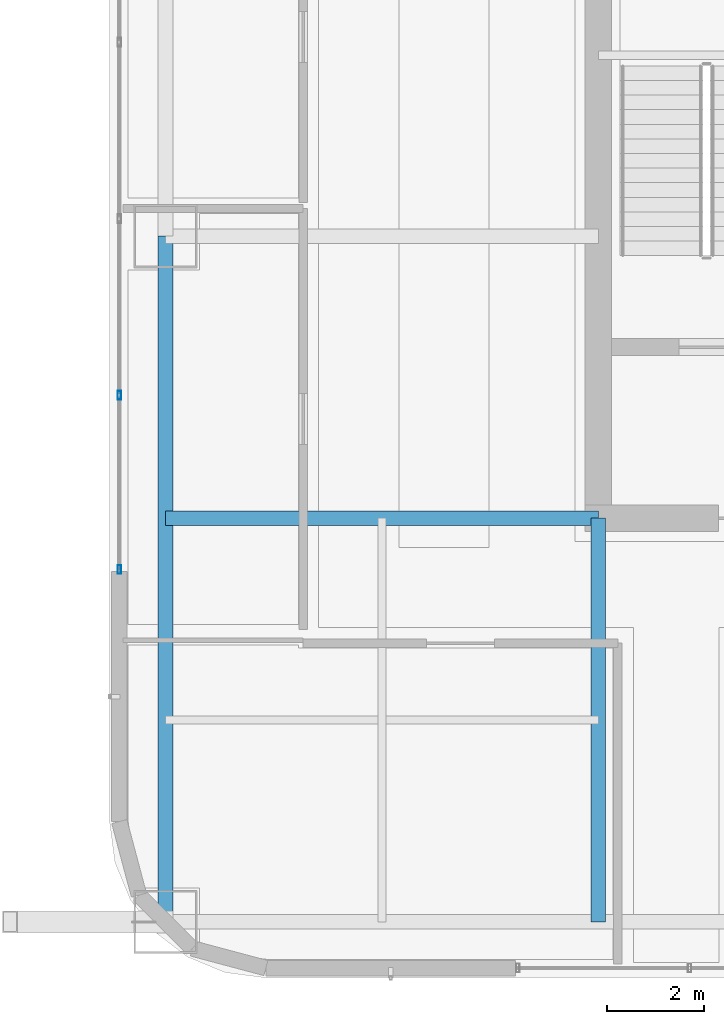
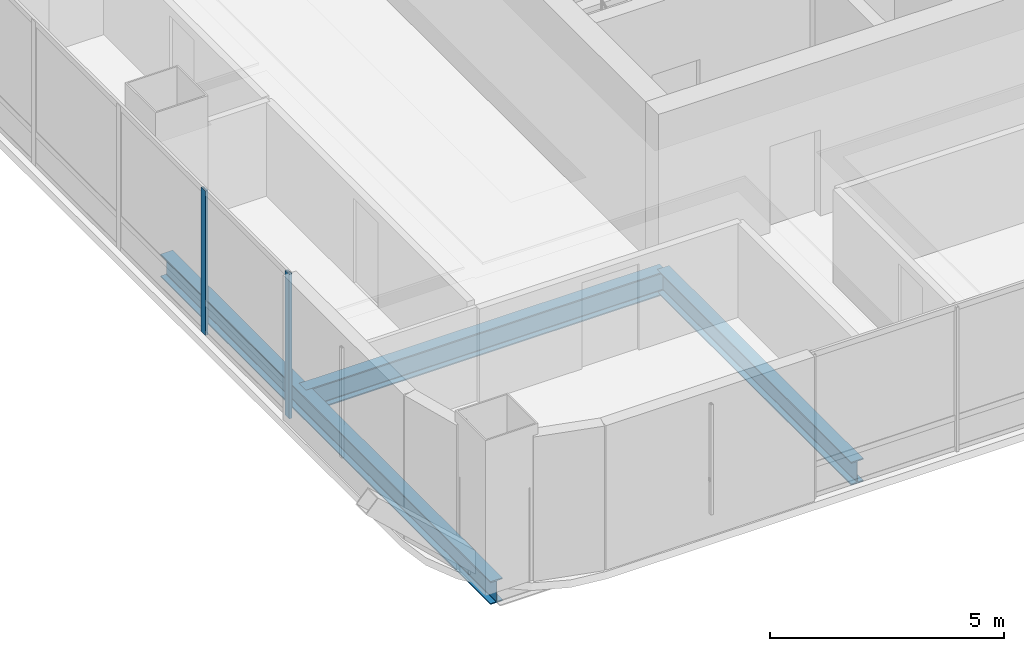
# One storey, part 3 of 51: 3 beams, 2 members, 1 element without a shape of its own.
"""IFC4 building model written with IfcOpenShell, lengths in metres."""

from ifc_helpers import new_model, si_unit, direction, frame, origin, origin_2d, place, context, subcontext, project, spatial, hollow_rectangle, i_section, extrude, material, material_profile, profile_set, type_object, element, aggregate, save


model = new_model("IFC4")

# Units and contexts
model_context = context("Model", 3, precision=1e-05, world=origin(), true_north=direction((0.0, 1.0)))
body_context = subcontext(model_context, "Body", "Model", "MODEL_VIEW")
ifc_project = project(units=[si_unit("LENGTHUNIT", "METRE"), si_unit("AREAUNIT", "SQUARE_METRE"), si_unit("VOLUMEUNIT", "CUBIC_METRE"), si_unit("PLANEANGLEUNIT", "RADIAN"), si_unit("MASSUNIT", "GRAM", prefix="KILO")], contexts=[model_context])

# Site, building, storey
site_placement = place(None, origin())
site = spatial("IfcSite", under=ifc_project, at=site_placement, CompositionType="ELEMENT")
building_placement = place(site_placement, origin())
building = spatial("IfcBuilding", under=site, at=building_placement, Name="Punatoya Terracotta Tower", CompositionType="ELEMENT")
storey_placement = place(building_placement, frame((0.0, 0.0, 279.75)))
storey = spatial("IfcBuildingStorey", under=building, at=storey_placement, Name="L66", CompositionType="ELEMENT", Elevation=279.75)

# Beams
ifc_material_1 = material(Name="Steel S355", Category="steel")
ifc_material_profile_1 = material_profile(ifc_material_1, i_section(OverallWidth=0.300048828125, OverallDepth=0.60009765625, WebThickness=0.015380859375, FlangeThickness=0.030029296875, FilletRadius=0.01806640625, at=origin_2d()))
ifc_profile_set_1 = profile_set([ifc_material_profile_1], Name="Steel S355")
beam_type = type_object("IfcBeamType", Name="BM-PRI-600", PredefinedType="BEAM", material=ifc_profile_set_1)
beam_1_placement = place(storey_placement, frame((-19.10009765625, -17.5, -0.5), z_axis=(0.0, 1.0, 0.0), x_axis=(-1.0, 0.0, 0.0)))
element("IfcBeam", 1, at=beam_1_placement, inside=storey, type_object=beam_type, Name="BM-L66-RG-W1", PredefinedType="BEAM", context=body_context, shape_type="SweptSolid", body=[
    extrude(i_section(OverallWidth=0.300048828125, OverallDepth=0.60009765625, WebThickness=0.015380859375, FlangeThickness=0.030029296875, FilletRadius=0.01806640625, at=origin_2d()), origin(), (0.0, 0.0, 1.0), 14.10009765625),
])
beam_2_placement = place(storey_placement, frame((-19.10009765625, -9.199951171875, -0.5), z_axis=(1.0, 0.0, 0.0), x_axis=(0.0, 1.0, 0.0)))
element("IfcBeam", 2, at=beam_2_placement, inside=storey, type_object=beam_type, Name="BM-L66-PR-WS", PredefinedType="BEAM", context=body_context, shape_type="SweptSolid", body=[
    extrude(i_section(OverallWidth=0.300048828125, OverallDepth=0.60009765625, WebThickness=0.015380859375, FlangeThickness=0.030029296875, FilletRadius=0.01806640625, at=origin_2d()), origin(), (0.0, 0.0, 1.0), 8.900146484375),
])
beam_3_placement = place(storey_placement, frame((-10.199951171875, -17.5, -0.5), z_axis=(0.0, 1.0, 0.0), x_axis=(-1.0, 0.0, 0.0)))
element("IfcBeam", 3, at=beam_3_placement, inside=storey, type_object=beam_type, Name="BM-L66-PR-S1", PredefinedType="BEAM", context=body_context, shape_type="SweptSolid", body=[
    extrude(i_section(OverallWidth=0.300048828125, OverallDepth=0.60009765625, WebThickness=0.015380859375, FlangeThickness=0.030029296875, FilletRadius=0.01806640625, at=origin_2d()), origin(), (0.0, 0.0, 1.0), 8.300048828125),
])

# Curtain wall, members
ifc_material_2 = material(Name="Aluminium 6063-T6 + Double Low-E Glass", Category="aluminium")
curtain_wall_type = type_object("IfcCurtainWallType", Name="CW-M3", PredefinedType="NOTDEFINED", material=ifc_material_2)
curtain_wall_placement = place(storey_placement, origin())
curtain_wall = element("IfcCurtainWall", 4, at=curtain_wall_placement, inside=storey, type_object=curtain_wall_type, Name="L66 Curtain Wall CW-L66-W13-1", PredefinedType="NOTDEFINED")
ifc_material_3 = material(Name="Aluminium 6063-T6", Category="aluminium")
ifc_material_profile_2 = material_profile(ifc_material_3, hollow_rectangle(XDim=0.070068359375, YDim=0.179931640625, WallThickness=0.00390625, at=origin_2d()))
ifc_profile_set_2 = profile_set([ifc_material_profile_2], Name="Aluminium 6063-T6")
member_type = type_object("IfcMemberType", Name="CW-MUL-M3", PredefinedType="MULLION", material=ifc_profile_set_2)
member_1_placement = place(storey_placement, frame((-20.050048828125, -6.67138671875, 0.0), z_axis=(0.0, 0.0, 1.0), x_axis=(1.0, 0.0, 0.0)))
member_1 = element("IfcMember", 5, at=member_1_placement, type_object=member_type, Name="CW-L66-W13-1 Mullion 06", PredefinedType="MULLION", context=body_context, shape_type="SweptSolid", body=[
    extrude(hollow_rectangle(XDim=0.070068359375, YDim=0.179931640625, WallThickness=0.00390625, at=origin_2d()), origin(), (0.0, 0.0, 1.0), 3.77001953125),
])
member_2_placement = place(storey_placement, frame((-20.050048828125, -10.2548828125, 0.0), z_axis=(0.0, 0.0, 1.0), x_axis=(1.0, 0.0, 0.0)))
member_2 = element("IfcMember", 6, at=member_2_placement, type_object=member_type, Name="CW-L66-W13-1 Mullion 07", PredefinedType="MULLION", context=body_context, shape_type="SweptSolid", body=[
    extrude(hollow_rectangle(XDim=0.070068359375, YDim=0.179931640625, WallThickness=0.00390625, at=origin_2d()), origin(), (0.0, 0.0, 1.0), 3.77001953125),
])
aggregate(curtain_wall, [member_1, member_2])

save(model, "model.ifc")
